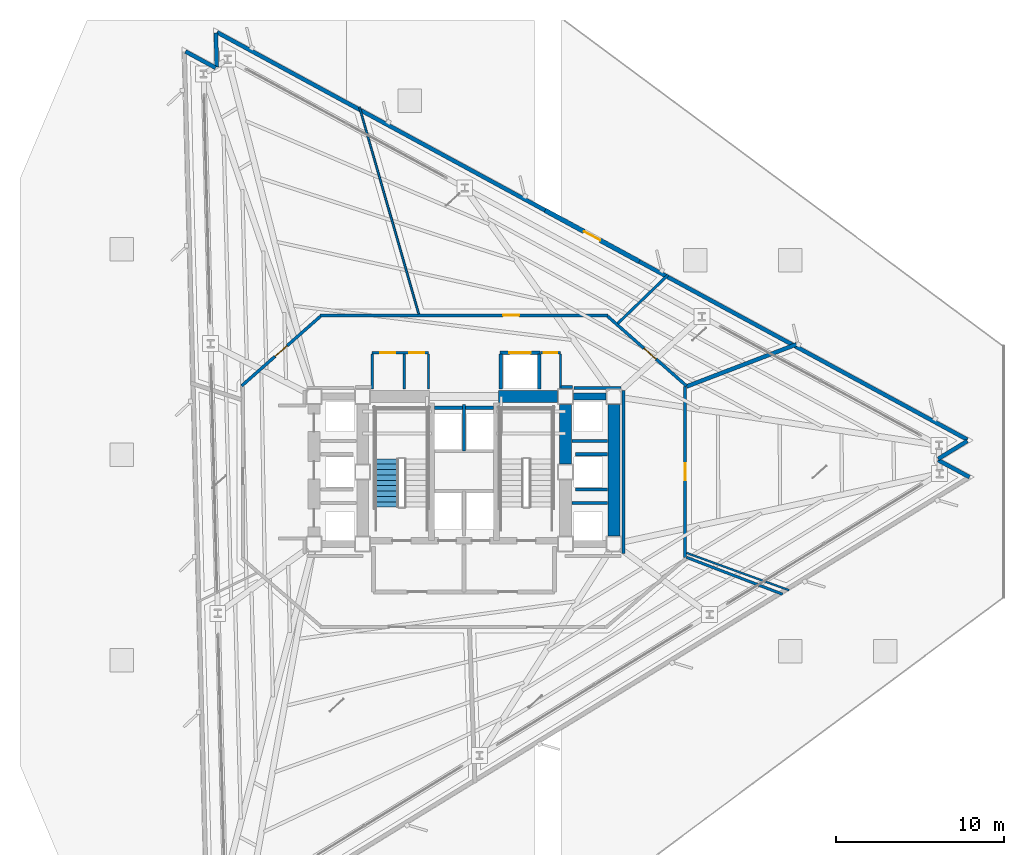
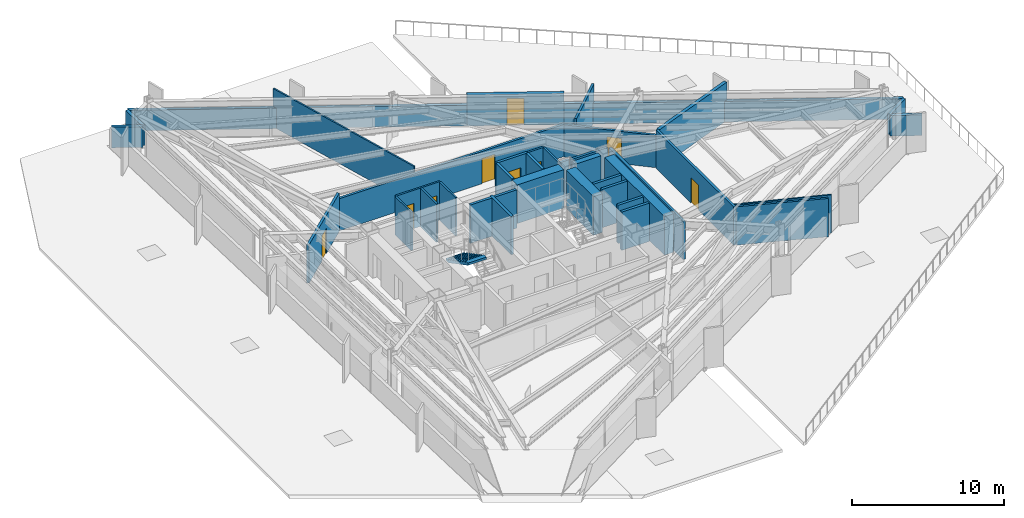
# One storey, part 9 of 13: 38 walls, 9 doors, 1 stair flight, 9 openings, 1 element without a shape of its own.
"""IFC4 building model written with IfcOpenShell, lengths in metres."""

from ifc_helpers import new_model, si_unit, direction, frame, frame_2d, origin, place, context, subcontext, project, spatial, polyline, rectangle, outline, extrude, material, layer, layer_set, type_object, element, fill, aggregate, save


model = new_model("IFC4")

# Units and contexts
model_context = context("Model", 3, precision=1e-05, world=origin(), true_north=direction((0.0, 1.0)))
body_context = subcontext(model_context, "Body", "Model", "MODEL_VIEW")
ifc_project = project(units=[si_unit("LENGTHUNIT", "METRE"), si_unit("AREAUNIT", "SQUARE_METRE"), si_unit("VOLUMEUNIT", "CUBIC_METRE"), si_unit("PLANEANGLEUNIT", "RADIAN"), si_unit("MASSUNIT", "GRAM", prefix="KILO")], contexts=[model_context])

# Site, building, storey
site_placement = place(None, origin())
site = spatial("IfcSite", under=ifc_project, at=site_placement, CompositionType="ELEMENT")
building_placement = place(site_placement, origin())
building = spatial("IfcBuilding", under=site, at=building_placement, Name="Rocaltana Carrier Exchange", CompositionType="ELEMENT")
storey_placement = place(building_placement, frame((0.0, 0.0, 18.8798828125)))
storey = spatial("IfcBuildingStorey", under=building, at=storey_placement, Name="L06", CompositionType="ELEMENT", Elevation=18.8798828125)

# Walls
ifc_material_1 = material(Name="Double Acoustic Gypsum Partition", Category="gypsum")
ifc_layer_1 = layer(ifc_material_1, 0.159912109375)
ifc_layer_set_1 = layer_set([ifc_layer_1], Name="Double Acoustic Gypsum Partition")
wall_type_1 = type_object("IfcWallType", Name="Acoustic Studio Partition 160 EI60", PredefinedType="PARTITIONING", material=ifc_layer_set_1)
wall_1_placement = place(storey_placement, frame((13.280029296875, -5.09765625, 0.0), z_axis=(0.0, 0.0, 1.0), x_axis=(0.933574999212, -0.358382087787, 0.0)))
element("IfcWall", 1, at=wall_1_placement, inside=storey, type_object=wall_type_1, Name="L06 Suite Divider Wall D3", PredefinedType="PARTITIONING", context=body_context, shape_type="SweptSolid", body=[
    extrude(rectangle(XDim=6.13916015625, YDim=0.159912109375, at=frame_2d((3.069580078125, 0.0))), origin(), (0.0, 0.0, 1.0), 3.072998046875),
])
wall_2_placement = place(storey_placement, frame((9.17529296875, 8.860595703125, 0.0), z_axis=(0.0, 0.0, 1.0), x_axis=(0.719367279815, 0.694629913502, 0.0)))
element("IfcWall", 2, at=wall_2_placement, inside=storey, type_object=wall_type_1, Name="L06 Suite Divider Wall D6", PredefinedType="PARTITIONING", context=body_context, shape_type="SweptSolid", body=[
    extrude(rectangle(XDim=4.1845703125, YDim=0.159912109375, at=frame_2d((2.09228515625, 0.0))), origin(), (0.0, 0.0, 1.0), 3.072998046875),
])
ifc_material_2 = material(Name="Concrete C50/60", Category="concrete")
ifc_layer_2 = layer(ifc_material_2, 0.39990234375)
ifc_layer_set_2 = layer_set([ifc_layer_2], Name="Concrete C50/60")
wall_type_2 = type_object("IfcWallType", Name="Core Internal Shear Wall 400", PredefinedType="SHEAR", material=ifc_layer_set_2)
wall_3_placement = place(storey_placement, frame((6.52490234375, 4.5, 0.0), z_axis=(0.0, 0.0, 1.0), x_axis=(1.0, 0.0, 0.0)))
element("IfcWall", 3, at=wall_3_placement, inside=storey, type_object=wall_type_2, Name="L06 Core Shear Wall CW-EWN", PredefinedType="SHEAR", context=body_context, shape_type="SweptSolid", body=[
    extrude(rectangle(XDim=1.9501953125, YDim=0.39990234375, at=frame_2d((0.97509765625, 0.0))), origin(), (0.0, 0.0, 1.0), 3.09814453125),
])
ifc_material_3 = material(Name="Concrete C60/75", Category="concrete")
ifc_layer_3 = layer(ifc_material_3, 0.699951171875)
ifc_layer_set_3 = layer_set([ifc_layer_3], Name="Concrete C60/75")
wall_type_3 = type_object("IfcWallType", Name="Core Shear Wall 700", PredefinedType="SHEAR", material=ifc_layer_set_3)
wall_4_placement = place(storey_placement, frame((6.050048828125, 0.47509765625, 0.0), z_axis=(0.0, 0.0, 1.0), x_axis=(0.0, 1.0, 0.0)))
element("IfcWall", 4, at=wall_4_placement, inside=storey, type_object=wall_type_3, Name="L06 Core Shear Wall CW-EN", PredefinedType="SHEAR", context=body_context, shape_type="SweptSolid", body=[
    extrude(rectangle(XDim=3.5498046875, YDim=0.699951171875, at=frame_2d((1.77490234375, 0.0))), origin(), (0.0, 0.0, 1.0), 3.09814453125),
])
wall_5_placement = place(storey_placement, frame((2.050048828125, 4.5, 0.0), z_axis=(0.0, 0.0, 1.0), x_axis=(1.0, 0.0, 0.0)))
element("IfcWall", 5, at=wall_5_placement, inside=storey, type_object=wall_type_3, Name="L06 Core Shear Wall CW-N2", PredefinedType="SHEAR", context=body_context, shape_type="SweptSolid", body=[
    extrude(rectangle(XDim=3.52490234375, YDim=0.699951171875, at=frame_2d((1.762451171875, 0.0))), origin(), (0.0, 0.0, 1.0), 3.09814453125),
])
wall_6_placement = place(storey_placement, frame((8.949951171875, -3.824951171875, 0.0), z_axis=(0.0, 0.0, 1.0), x_axis=(0.0, 1.0, 0.0)))
element("IfcWall", 6, at=wall_6_placement, inside=storey, type_object=wall_type_3, Name="L06 Core Shear Wall CW-EW", PredefinedType="SHEAR", context=body_context, shape_type="SweptSolid", body=[
    extrude(rectangle(XDim=7.849853515625, YDim=0.699951171875, at=frame_2d((3.9248046875, 0.0))), origin(), (0.0, 0.0, 1.0), 3.09814453125),
])

# Wall, opening, door
ifc_material_4 = material(Name="Gypsum & Steel Stud Partition", Category="steel")
ifc_layer_4 = layer(ifc_material_4, 0.179931640625)
ifc_layer_set_4 = layer_set([ifc_layer_4], Name="Gypsum & Steel Stud Partition")
wall_type_4 = type_object("IfcWallType", Name="Corridor Fire Partition 180 EI60", PredefinedType="PARTITIONING", material=ifc_layer_set_4)
wall_7_placement = place(storey_placement, frame((-8.590087890625, 9.35009765625, 0.0), z_axis=(0.0, 0.0, 1.0), x_axis=(1.0, 0.0, 0.0)))
wall_7 = element("IfcWall", 7, at=wall_7_placement, inside=storey, type_object=wall_type_4, Name="L06 Corridor Partition 1", PredefinedType="PARTITIONING", context=body_context, shape_type="SweptSolid", body=[
    extrude(rectangle(XDim=17.18017578125, YDim=0.179931640625, at=frame_2d((8.590087890625, 0.0))), origin(), (0.0, 0.0, 1.0), 2.587158203125),
])
opening_1_placement = place(wall_7_placement, frame((10.924072265625, 0.0, 0.0)))
opening_1 = element("IfcOpeningElement", 8, at=opening_1_placement, cuts=wall_7, Name="Opening D-RM098", PredefinedType="OPENING", context=body_context, shape_type="SweptSolid", body=[
    extrude(rectangle(XDim=0.9599609375, YDim=2.02001953125, at=frame_2d((0.47998046875, 1.010009765625))), frame((0.0, 0.099853515625, 0.0), z_axis=(0.0, -1.0, 0.0), x_axis=(1.0, 0.0, 0.0)), (0.0, 0.0, 1.0), 0.199951171875),
])
ifc_material_5 = material(Name="Engineered Hardwood Timber", Category="wood")
door_type_1 = type_object("IfcDoorType", Name="Workspace Single Door 960x2020", OperationType="NOTDEFINED", PredefinedType="DOOR", material=ifc_material_5)
door_1_placement = place(opening_1_placement, origin())
door_1 = element("IfcDoor", 9, at=door_1_placement, inside=storey, type_object=door_type_1, Name="L06 Network Operations Office Entrance Door", OperationType="SINGLE_SWING_RIGHT", OverallHeight=2.02001953125, OverallWidth=0.9599609375, PredefinedType="DOOR", context=body_context, shape_type="SweptSolid", body=[
    extrude(rectangle(XDim=0.9599609375, YDim=2.02001953125, at=frame_2d((0.47998046875, 1.010009765625))), frame((0.0, 0.02490234375, 0.0), z_axis=(0.0, -1.0, 0.0), x_axis=(1.0, 0.0, 0.0)), (0.0, 0.0, 1.0), 0.050048828125),
])
fill(opening_1, door_1)

wall_8_placement = place(storey_placement, frame((8.5673828125, 9.290283203125, 0.0), z_axis=(0.0, 0.0, 1.0), x_axis=(0.749626463267, -0.66186113768, 0.0)))
wall_8 = element("IfcWall", 10, at=wall_8_placement, inside=storey, type_object=wall_type_4, Name="L06 Corridor Partition 2", PredefinedType="PARTITIONING", context=body_context, shape_type="SweptSolid", body=[
    extrude(rectangle(XDim=6.27001953125, YDim=0.179931640625, at=frame_2d((3.135009765625, 0.0))), origin(), (0.0, 0.0, 1.0), 2.587158203125),
])
opening_2_placement = place(wall_8_placement, frame((2.89501953125, 0.0, 0.0)))
opening_2 = element("IfcOpeningElement", 11, at=opening_2_placement, cuts=wall_8, Name="Opening D-RM098", PredefinedType="OPENING", context=body_context, shape_type="SweptSolid", body=[
    extrude(rectangle(XDim=0.9599609375, YDim=2.02001953125, at=frame_2d((0.47998046875, 1.010009765625))), frame((0.0, 0.099853515625, 0.0), z_axis=(0.0, -1.0, 0.0), x_axis=(1.0, 0.0, 0.0)), (0.0, 0.0, 1.0), 0.199951171875),
])
door_2_placement = place(opening_2_placement, origin())
door_2 = element("IfcDoor", 12, at=door_2_placement, inside=storey, type_object=door_type_1, Name="L06 Peering Conference Room Entrance Door", OperationType="SINGLE_SWING_LEFT", OverallHeight=2.02001953125, OverallWidth=0.9599609375, PredefinedType="DOOR", context=body_context, shape_type="SweptSolid", body=[
    extrude(rectangle(XDim=0.9599609375, YDim=2.02001953125, at=frame_2d((0.47998046875, 1.010009765625))), frame((0.0, 0.02490234375, 0.0), z_axis=(0.0, -1.0, 0.0), x_axis=(1.0, 0.0, 0.0)), (0.0, 0.0, 1.0), 0.050048828125),
])
fill(opening_2, door_2)

wall_9_placement = place(storey_placement, frame((13.199951171875, 5.110107421875, 0.0), z_axis=(0.0, 0.0, 1.0), x_axis=(0.0, -1.0, 0.0)))
wall_9 = element("IfcWall", 13, at=wall_9_placement, inside=storey, type_object=wall_type_4, Name="L06 Corridor Partition 3", PredefinedType="PARTITIONING", context=body_context, shape_type="SweptSolid", body=[
    extrude(rectangle(XDim=10.22021484375, YDim=0.179931640625, at=frame_2d((5.110107421875, 0.0))), origin(), (0.0, 0.0, 1.0), 3.072998046875),
])
opening_3_placement = place(wall_9_placement, frame((4.5908203125, 0.0, 0.0)))
opening_3 = element("IfcOpeningElement", 14, at=opening_3_placement, cuts=wall_9, Name="Opening D-LB104", PredefinedType="OPENING", context=body_context, shape_type="SweptSolid", body=[
    extrude(rectangle(XDim=1.02001953125, YDim=2.02001953125, at=frame_2d((0.510009765625, 1.010009765625))), frame((0.0, 0.099853515625, 0.0), z_axis=(0.0, -1.0, 0.0), x_axis=(1.0, 0.0, 0.0)), (0.0, 0.0, 1.0), 0.199951171875),
])
ifc_material_6 = material(Name="Powder-Coated Aluminium 6063-T6", Category="aluminium")
door_type_2 = type_object("IfcDoorType", Name="Laboratory Acoustic Door 1020x2020", OperationType="NOTDEFINED", PredefinedType="DOOR", material=ifc_material_6)
door_3_placement = place(opening_3_placement, origin())
door_3 = element("IfcDoor", 15, at=door_3_placement, inside=storey, type_object=door_type_2, Name="L06 Optical Switching Laboratory Entrance Door", OperationType="SINGLE_SWING_RIGHT", OverallHeight=2.02001953125, OverallWidth=1.02001953125, PredefinedType="DOOR", context=body_context, shape_type="SweptSolid", body=[
    extrude(rectangle(XDim=1.02001953125, YDim=2.02001953125, at=frame_2d((0.510009765625, 1.010009765625))), frame((0.0, 0.02490234375, 0.0), z_axis=(0.0, -1.0, 0.0), x_axis=(1.0, 0.0, 0.0)), (0.0, 0.0, 1.0), 0.050048828125),
])
fill(opening_3, door_3)

wall_10_placement = place(storey_placement, frame((-13.267578125, 5.140380859375, 0.0), z_axis=(0.0, 0.0, 1.0), x_axis=(0.749626463267, 0.66186113768, 0.0)))
wall_10 = element("IfcWall", 16, at=wall_10_placement, inside=storey, type_object=wall_type_4, Name="L06 Corridor Partition 8", PredefinedType="PARTITIONING", context=body_context, shape_type="SweptSolid", body=[
    extrude(rectangle(XDim=6.27001953125, YDim=0.179931640625, at=frame_2d((3.135009765625, 0.0))), origin(), (0.0, 0.0, 1.0), 3.072998046875),
])
opening_4_placement = place(wall_10_placement, frame((2.655029296875, 0.0, 0.0)))
opening_4 = element("IfcOpeningElement", 17, at=opening_4_placement, cuts=wall_10, Name="Opening D-RM098", PredefinedType="OPENING", context=body_context, shape_type="SweptSolid", body=[
    extrude(rectangle(XDim=0.9599609375, YDim=2.02001953125, at=frame_2d((0.47998046875, 1.010009765625))), frame((0.0, 0.099853515625, 0.0), z_axis=(0.0, -1.0, 0.0), x_axis=(1.0, 0.0, 0.0)), (0.0, 0.0, 1.0), 0.199951171875),
])
door_4_placement = place(opening_4_placement, origin())
door_4 = element("IfcDoor", 18, at=door_4_placement, inside=storey, type_object=door_type_1, Name="L06 Quiet Focus Lounge Entrance Door", OperationType="SINGLE_SWING_LEFT", OverallHeight=2.02001953125, OverallWidth=0.9599609375, PredefinedType="DOOR", context=body_context, shape_type="SweptSolid", body=[
    extrude(rectangle(XDim=0.9599609375, YDim=2.02001953125, at=frame_2d((0.47998046875, 1.010009765625))), frame((0.0, 0.02490234375, 0.0), z_axis=(0.0, -1.0, 0.0), x_axis=(1.0, 0.0, 0.0)), (0.0, 0.0, 1.0), 0.050048828125),
])
fill(opening_4, door_4)

# Walls
wall_11_placement = place(storey_placement, frame((9.510009765625, -4.8701171875, 0.0), z_axis=(0.0, 0.0, 1.0), x_axis=(0.0, 1.0, 0.0)))
element("IfcWall", 19, at=wall_11_placement, inside=storey, type_object=wall_type_4, Name="L06 Corridor Partition 17", PredefinedType="PARTITIONING", context=body_context, shape_type="SweptSolid", body=[
    extrude(rectangle(XDim=9.740234375, YDim=0.179931640625, at=frame_2d((4.8701171875, 0.0))), origin(), (0.0, 0.0, 1.0), 3.072998046875),
])
wall_12_placement = place(storey_placement, frame((9.3701171875, 5.010009765625, 0.0), z_axis=(0.0, 0.0, 1.0), x_axis=(-1.0, 0.0, 0.0)))
element("IfcWall", 20, at=wall_12_placement, inside=storey, type_object=wall_type_4, Name="L06 Corridor Partition 18", PredefinedType="PARTITIONING", context=body_context, shape_type="SweptSolid", body=[
    extrude(rectangle(XDim=2.807861328125, YDim=0.179931640625, at=frame_2d((1.40380859375, 0.0))), origin(), (0.0, 0.0, 1.0), 3.072998046875),
])
wall_13_placement = place(storey_placement, frame((6.469970703125, 5.080078125, 0.0), z_axis=(0.0, 0.0, 1.0), x_axis=(-1.0, 0.0, 0.0)))
element("IfcWall", 21, at=wall_13_placement, inside=storey, type_object=wall_type_4, Name="L06 Corridor Partition 19", PredefinedType="PARTITIONING", context=body_context, shape_type="SweptSolid", body=[
    extrude(rectangle(XDim=0.679931640625, YDim=0.179931640625, at=frame_2d((0.33984375, 0.0))), origin(), (0.0, 0.0, 1.0), 3.072998046875),
])
ifc_material_7 = material(Name="Aluminium 6063-T6 & Acoustic Glass", Category="aluminium")
ifc_layer_5 = layer(ifc_material_7, 0.114990234375)
ifc_layer_set_5 = layer_set([ifc_layer_5], Name="Aluminium 6063-T6 & Acoustic Glass")
wall_type_5 = type_object("IfcWallType", Name="Demountable Glazed Lab Partition 115", PredefinedType="MOVABLE", material=ifc_layer_set_5)
wall_14_placement = place(storey_placement, frame((13.280029296875, -4.83349609375, 0.0), z_axis=(0.0, 0.0, 1.0), x_axis=(0.939690475906, -0.342026036278, 0.0)))
element("IfcWall", 22, at=wall_14_placement, inside=storey, type_object=wall_type_5, Name="L06 Suite Divider Wall D4", PredefinedType="MOVABLE", context=body_context, shape_type="SweptSolid", body=[
    extrude(rectangle(XDim=6.51123046875, YDim=0.114990234375, at=frame_2d((3.255615234375, 0.0))), origin(), (0.0, 0.0, 1.0), 3.072998046875),
])
wall_15_placement = place(storey_placement, frame((-2.7041015625, 9.429931640625, 0.0), z_axis=(0.0, 0.0, 1.0), x_axis=(-0.275627518328, 0.961264516738, 0.0)))
element("IfcWall", 23, at=wall_15_placement, inside=storey, type_object=wall_type_5, Name="L06 Suite Divider Wall D7", PredefinedType="MOVABLE", context=body_context, shape_type="SweptSolid", body=[
    extrude(rectangle(XDim=12.8408203125, YDim=0.114990234375, at=frame_2d((6.42041015625, 0.0))), origin(), (0.0, 0.0, 1.0), 3.072998046875),
])
ifc_material_8 = material(Name="Acoustic Calcium Silicate Partition", Category="gypsum")
ifc_layer_6 = layer(ifc_material_8, 0.239990234375)
ifc_layer_set_6 = layer_set([ifc_layer_6], Name="Acoustic Calcium Silicate Partition")
wall_type_6 = type_object("IfcWallType", Name="Heavy Lab Partition 240 EI90", PredefinedType="PARTITIONING", material=ifc_layer_set_6)
wall_16_placement = place(storey_placement, frame((13.280029296875, 5.09765625, 0.0), z_axis=(0.0, 0.0, 1.0), x_axis=(0.933577510578, 0.358375545681, 0.0)))
element("IfcWall", 24, at=wall_16_placement, inside=storey, type_object=wall_type_6, Name="L06 Suite Divider Wall D5", PredefinedType="PARTITIONING", context=body_context, shape_type="SweptSolid", body=[
    extrude(rectangle(XDim=7.021484375, YDim=0.239990234375, at=frame_2d((3.5107421875, 0.0))), origin(), (0.0, 0.0, 1.0), 3.072998046875),
])
ifc_material_9 = material(Name="Reinforced Concrete Block C35/45", Category="concrete")
ifc_layer_7 = layer(ifc_material_9, 0.199951171875)
ifc_layer_set_7 = layer_set([ifc_layer_7], Name="Reinforced Concrete Block C35/45")
wall_type_7 = type_object("IfcWallType", Name="Lift Hoistway Enclosure Wall 200 EI120", PredefinedType="PARTITIONING", material=ifc_layer_set_7)
wall_17_placement = place(storey_placement, frame((0.0, 1.25, 0.0), z_axis=(0.0, 0.0, 1.0), x_axis=(0.0, 1.0, 0.0)))
element("IfcWall", 25, at=wall_17_placement, inside=storey, type_object=wall_type_7, Name="L06 High-Rise Shaft Divider", PredefinedType="PARTITIONING", context=body_context, shape_type="SweptSolid", body=[
    extrude(rectangle(XDim=2.77001953125, YDim=0.199951171875, at=frame_2d((1.385009765625, 0.0))), origin(), (0.0, 0.0, 1.0), 3.072998046875),
])
wall_18_placement = place(storey_placement, frame((-1.760009765625, 3.820068359375, 0.0), z_axis=(0.0, 0.0, 1.0), x_axis=(1.0, 0.0, 0.0)))
element("IfcWall", 26, at=wall_18_placement, inside=storey, type_object=wall_type_7, Name="L06 High-Rise Lift Front Wall", PredefinedType="PARTITIONING", context=body_context, shape_type="SweptSolid", body=[
    extrude(rectangle(XDim=3.52001953125, YDim=0.199951171875, at=frame_2d((1.760009765625, 0.0))), origin(), (0.0, 0.0, 1.0), 3.072998046875),
])
for number, where, z_axis, x_axis, name in (
    (27, (2.199951171875, 4.949951171875, 0.0), (0.0, 0.0, 1.0), (0.0, 1.0, 0.0), "L06 Goods Lift West Wall"),
    (28, (4.47998046875, 4.949951171875, 0.0), (0.0, 0.0, 1.0), (0.0, 1.0, 0.0), "L06 Goods Lift East Wall"),
):
    element("IfcWall", number, at=place(storey_placement, frame(where, z_axis=z_axis, x_axis=x_axis)), inside=storey, type_object=wall_type_7, Name=name, PredefinedType="PARTITIONING", context=body_context, shape_type="SweptSolid", body=[
        extrude(rectangle(XDim=2.10009765625, YDim=0.199951171875, at=frame_2d((1.050048828125, 0.0))), origin(), (0.0, 0.0, 1.0), 3.072998046875),
    ])

# Wall, opening, door
wall_19_placement = place(storey_placement, frame((2.14990234375, 7.1201171875, 0.0), z_axis=(0.0, 0.0, 1.0), x_axis=(1.0, 0.0, 0.0)))
wall_19 = element("IfcWall", 29, at=wall_19_placement, inside=storey, type_object=wall_type_7, Name="L06 Goods Lift Front Wall", PredefinedType="PARTITIONING", context=body_context, shape_type="SweptSolid", body=[
    extrude(rectangle(XDim=2.380126953125, YDim=0.199951171875, at=frame_2d((1.18994140625, 0.0))), origin(), (0.0, 0.0, 1.0), 3.072998046875),
])
opening_5_placement = place(wall_19_placement, frame((0.56005859375, 0.0, 0.0)))
opening_5 = element("IfcOpeningElement", 30, at=opening_5_placement, cuts=wall_19, Name="Opening LD-130", PredefinedType="OPENING", context=body_context, shape_type="SweptSolid", body=[
    extrude(rectangle(XDim=1.260009765625, YDim=2.06005859375, at=frame_2d((0.6298828125, 1.030029296875))), frame((0.0, 0.10986328125, 0.0), z_axis=(0.0, -1.0, 0.0), x_axis=(1.0, 0.0, 0.0)), (0.0, 0.0, 1.0), 0.219970703125),
])
ifc_material_10 = material(Name="Brushed Stainless Sliding Door Leaf", Category="steel")
door_type_3 = type_object("IfcDoorType", Name="Goods Lift Landing Sliding Door 1260x2060", OperationType="NOTDEFINED", PredefinedType="DOOR", material=ifc_material_10)
door_5_placement = place(opening_5_placement, origin())
door_5 = element("IfcDoor", 31, at=door_5_placement, inside=storey, type_object=door_type_3, Name="L06 Goods Lift GL-1 Landing Door", OperationType="SLIDING_TO_LEFT", OverallHeight=2.06005859375, OverallWidth=1.260009765625, PredefinedType="DOOR", context=body_context, shape_type="SweptSolid", body=[
    extrude(rectangle(XDim=1.260009765625, YDim=2.06005859375, at=frame_2d((0.6298828125, 1.030029296875))), frame((0.0, 0.02490234375, 0.0), z_axis=(0.0, -1.0, 0.0), x_axis=(1.0, 0.0, 0.0)), (0.0, 0.0, 1.0), 0.050048828125),
])
fill(opening_5, door_5)

# Walls
for number, where, z_axis, x_axis, name in (
    (32, (6.449951171875, -1.85009765625, 0.0), (0.0, 0.0, 1.0), (1.0, 0.0, 0.0), "L06 Mid-Rise Shaft Divider 1"),
    (33, (6.449951171875, 1.85009765625, 0.0), (0.0, 0.0, 1.0), (1.0, 0.0, 0.0), "L06 Mid-Rise Shaft Divider 2"),
):
    element("IfcWall", number, at=place(storey_placement, frame(where, z_axis=z_axis, x_axis=x_axis)), inside=storey, type_object=wall_type_7, Name=name, PredefinedType="PARTITIONING", context=body_context, shape_type="SweptSolid", body=[
        extrude(rectangle(XDim=2.10009765625, YDim=0.199951171875, at=frame_2d((1.050048828125, 0.0))), origin(), (0.0, 0.0, 1.0), 3.072998046875),
    ])
for number, where, z_axis, x_axis, name in (
    (34, (6.639892578125, -1.050048828125, 0.0), (0.0, 0.0, 1.0), (1.0, 0.0, 0.0), "L06 Mid-Rise Center Shaft Wall South"),
    (35, (6.639892578125, 1.050048828125, 0.0), (0.0, 0.0, 1.0), (1.0, 0.0, 0.0), "L06 Mid-Rise Center Shaft Wall North"),
):
    element("IfcWall", number, at=place(storey_placement, frame(where, z_axis=z_axis, x_axis=x_axis)), inside=storey, type_object=wall_type_7, Name=name, PredefinedType="PARTITIONING", context=body_context, shape_type="SweptSolid", body=[
        extrude(rectangle(XDim=1.91015625, YDim=0.199951171875, at=frame_2d((0.955078125, 0.0))), origin(), (0.0, 0.0, 1.0), 3.072998046875),
    ])

# Wall, opening, door
ifc_material_11 = material(Name="Precast sandstone concrete C45/55", Category="masonry")
ifc_layer_8 = layer(ifc_material_11, 0.280029296875)
ifc_layer_set_8 = layer_set([ifc_layer_8], Name="Precast sandstone concrete C45/55")
wall_type_8 = type_object("IfcWallType", Name="Sky Garden Foyer Enclosure Wall 280", PredefinedType="SOLIDWALL", material=ifc_layer_set_8)
wall_20_placement = place(storey_placement, frame((4.834716796875, 15.610595703125, 0.0), z_axis=(0.0, 0.0, 1.0), x_axis=(0.878818239679, -0.477156684547, 0.0)))
wall_20 = element("IfcWall", 36, at=wall_20_placement, inside=storey, type_object=wall_type_8, Name="L06 Podium Terrace Access Wall", PredefinedType="SOLIDWALL", context=body_context, shape_type="SweptSolid", body=[
    extrude(rectangle(XDim=6.39990234375, YDim=0.280029296875, at=frame_2d((3.199951171875, 0.0))), origin(), (0.0, 0.0, 1.0), 2.47802734375),
])
opening_6_placement = place(wall_20_placement, frame((2.650146484375, 0.0, 0.0)))
opening_6 = element("IfcOpeningElement", 37, at=opening_6_placement, cuts=wall_20, Name="Opening DT-110", PredefinedType="OPENING", context=body_context, shape_type="SweptSolid", body=[
    extrude(rectangle(XDim=1.10009765625, YDim=2.14990234375, at=frame_2d((0.550048828125, 1.074951171875))), frame((0.0, 0.14990234375, 0.0), z_axis=(0.0, -1.0, 0.0), x_axis=(1.0, 0.0, 0.0)), (0.0, 0.0, 1.0), 0.300048828125),
])
ifc_material_12 = material(Name="Anodised Aluminium 6063-T6", Category="aluminium")
door_type_4 = type_object("IfcDoorType", Name="Outdoor Terrace Access Door 1100x2150", OperationType="NOTDEFINED", PredefinedType="DOOR", material=ifc_material_12)
door_6_placement = place(opening_6_placement, origin())
door_6 = element("IfcDoor", 38, at=door_6_placement, inside=storey, type_object=door_type_4, Name="L06 Podium Roof Terrace Access Door", OperationType="SINGLE_SWING_LEFT", OverallHeight=2.14990234375, OverallWidth=1.10009765625, PredefinedType="DOOR", context=body_context, shape_type="SweptSolid", body=[
    extrude(rectangle(XDim=1.10009765625, YDim=2.14990234375, at=frame_2d((0.550048828125, 1.074951171875))), frame((0.0, 0.02490234375, 0.0), z_axis=(0.0, -1.0, 0.0), x_axis=(1.0, 0.0, 0.0)), (0.0, 0.0, 1.0), 0.050048828125),
])
fill(opening_6, door_6)

# Walls
ifc_material_13 = material(Name="Precast sandstone concrete C40/50", Category="masonry")
ifc_layer_9 = layer(ifc_material_13, 0.239990234375)
ifc_layer_set_9 = layer_set([ifc_layer_9], Name="Precast sandstone concrete C40/50")
wall_type_9 = type_object("IfcWallType", Name="Terrace Stone Parapet Wall 240", PredefinedType="PARAPET", material=ifc_layer_set_9)
for number, where, z_axis, x_axis, name in (
    (39, (-16.618896484375, 25.091064453125, 0.0), (0.0, 0.0, 1.0), (0.878813283548, -0.477165812543, 0.0), "L06 Setback Seam Parapet Wall 5"),
    (40, (-14.758056640625, 24.159423828125, 0.0), (0.0, 0.0, 1.0), (-0.026089524132, 0.999659610433, 0.0), "L06 Setback Seam Parapet Wall 6"),
):
    element("IfcWall", number, at=place(storey_placement, frame(where, z_axis=z_axis, x_axis=x_axis)), inside=storey, type_object=wall_type_9, Name=name, PredefinedType="PARAPET", context=body_context, shape_type="SweptSolid", body=[
        extrude(rectangle(XDim=2.0400390625, YDim=0.239990234375, at=frame_2d((1.02001953125, 0.0))), origin(), (0.0, 0.0, 1.0), 1.650146484375),
    ])
for number, where, z_axis, x_axis, name in (
    (41, (-14.7431640625, 26.240478515625, 0.0), (0.0, 0.0, 1.0), (0.878817850286, -0.477157401722, 0.0), "L06 Setback Seam Parapet Wall 7"),
    (42, (10.458984375, 12.556884765625, 0.0), (0.0, 0.0, 1.0), (0.878817850286, -0.477157401722, 0.0), "L06 Setback Seam Parapet Wall 8"),
):
    element("IfcWall", number, at=place(storey_placement, frame(where, z_axis=z_axis, x_axis=x_axis)), inside=storey, type_object=wall_type_9, Name=name, PredefinedType="PARAPET", context=body_context, shape_type="SweptSolid", body=[
        extrude(rectangle(XDim=22.277587890625, YDim=0.239990234375, at=frame_2d((11.138671875, 0.0))), origin(), (0.0, 0.0, 1.0), 1.650146484375),
    ])
wall_21_placement = place(storey_placement, frame((30.0390625, 1.846923828125, 0.0), z_axis=(0.0, 0.0, 1.0), x_axis=(-0.852651126253, -0.522480676101, 0.0)))
element("IfcWall", 43, at=wall_21_placement, inside=storey, type_object=wall_type_9, Name="L06 Setback Seam Parapet Wall 9", PredefinedType="PARAPET", context=body_context, shape_type="SweptSolid", body=[
    extrude(rectangle(XDim=2.0400390625, YDim=0.239990234375, at=frame_2d((1.02001953125, 0.0))), origin(), (0.0, 0.0, 1.0), 1.650146484375),
])
wall_22_placement = place(storey_placement, frame((28.3017578125, 0.701171875, 0.0), z_axis=(0.0, 0.0, 1.0), x_axis=(0.878783062921, -0.477221466747, 0.0)))
element("IfcWall", 44, at=wall_22_placement, inside=storey, type_object=wall_type_9, Name="L06 Setback Seam Parapet Wall 10", PredefinedType="PARAPET", context=body_context, shape_type="SweptSolid", body=[
    extrude(rectangle(XDim=2.1201171875, YDim=0.239990234375, at=frame_2d((1.06005859375, 0.0))), origin(), (0.0, 0.0, 1.0), 1.650146484375),
])
ifc_material_14 = material(Name="Moisture-Resistant Masonry C30/37", Category="masonry")
ifc_layer_10 = layer(ifc_material_14, 0.139892578125)
ifc_layer_set_10 = layer_set([ifc_layer_10], Name="Moisture-Resistant Masonry C30/37")
wall_type_10 = type_object("IfcWallType", Name="Wet-Area Sanitary Partition 140", PredefinedType="PARTITIONING", material=ifc_layer_set_10)
for number, where, z_axis, x_axis, name in (
    (45, (-5.47998046875, 4.949951171875, 0.0), (0.0, 0.0, 1.0), (0.0, 1.0, 0.0), "L06 Sanitary West Wall"),
    (46, (-3.56005859375, 4.949951171875, 0.0), (0.0, 0.0, 1.0), (0.0, 1.0, 0.0), "L06 Sanitary Divider"),
    (47, (-2.1201171875, 4.949951171875, 0.0), (0.0, 0.0, 1.0), (0.0, 1.0, 0.0), "L06 Sanitary East Wall"),
):
    element("IfcWall", number, at=place(storey_placement, frame(where, z_axis=z_axis, x_axis=x_axis)), inside=storey, type_object=wall_type_10, Name=name, PredefinedType="PARTITIONING", context=body_context, shape_type="SweptSolid", body=[
        extrude(rectangle(XDim=2.10009765625, YDim=0.139892578125, at=frame_2d((1.050048828125, 0.0))), origin(), (0.0, 0.0, 1.0), 3.072998046875),
    ])

# Wall, openings, doors
wall_23_placement = place(storey_placement, frame((-5.47998046875, 7.1201171875, 0.0), z_axis=(0.0, 0.0, 1.0), x_axis=(1.0, 0.0, 0.0)))
wall_23 = element("IfcWall", 48, at=wall_23_placement, inside=storey, type_object=wall_type_10, Name="L06 Sanitary North Wall", PredefinedType="PARTITIONING", context=body_context, shape_type="SweptSolid", body=[
    extrude(rectangle(XDim=3.35986328125, YDim=0.139892578125, at=frame_2d((1.679931640625, 0.0))), origin(), (0.0, 0.0, 1.0), 3.072998046875),
])
opening_7_placement = place(wall_23_placement, frame((0.47998046875, 0.0, 0.0)))
opening_7 = element("IfcOpeningElement", 49, at=opening_7_placement, cuts=wall_23, Name="Opening D-WC090", PredefinedType="OPENING", context=body_context, shape_type="SweptSolid", body=[
    extrude(rectangle(XDim=0.8798828125, YDim=2.02001953125, at=frame_2d((0.43994140625, 1.010009765625))), frame((0.0, 0.079833984375, 0.0), z_axis=(0.0, -1.0, 0.0), x_axis=(1.0, 0.0, 0.0)), (0.0, 0.0, 1.0), 0.159912109375),
])
opening_8_placement = place(wall_23_placement, frame((2.219970703125, 0.0, 0.0)))
opening_8 = element("IfcOpeningElement", 50, at=opening_8_placement, cuts=wall_23, Name="Opening D-WC090", PredefinedType="OPENING", context=body_context, shape_type="SweptSolid", body=[
    extrude(rectangle(XDim=0.8798828125, YDim=2.02001953125, at=frame_2d((0.43994140625, 1.010009765625))), frame((0.0, 0.079833984375, 0.0), z_axis=(0.0, -1.0, 0.0), x_axis=(1.0, 0.0, 0.0)), (0.0, 0.0, 1.0), 0.159912109375),
])
ifc_material_15 = material(Name="High-Pressure Laminate Timber", Category="wood")
door_type_5 = type_object("IfcDoorType", Name="Restroom & Accessible WC Door 880x2020", OperationType="NOTDEFINED", PredefinedType="DOOR", material=ifc_material_15)
door_7_placement = place(opening_7_placement, origin())
door_7 = element("IfcDoor", 51, at=door_7_placement, inside=storey, type_object=door_type_5, Name="L06 Accessible Toilet Door", OperationType="SINGLE_SWING_RIGHT", OverallHeight=2.02001953125, OverallWidth=0.8798828125, PredefinedType="DOOR", context=body_context, shape_type="SweptSolid", body=[
    extrude(rectangle(XDim=0.8798828125, YDim=2.02001953125, at=frame_2d((0.43994140625, 1.010009765625))), frame((0.0, 0.02490234375, 0.0), z_axis=(0.0, -1.0, 0.0), x_axis=(1.0, 0.0, 0.0)), (0.0, 0.0, 1.0), 0.050048828125),
])
fill(opening_7, door_7)
door_8_placement = place(opening_8_placement, origin())
door_8 = element("IfcDoor", 52, at=door_8_placement, inside=storey, type_object=door_type_5, Name="L06 Staff Restroom Door", OperationType="SINGLE_SWING_LEFT", OverallHeight=2.02001953125, OverallWidth=0.8798828125, PredefinedType="DOOR", context=body_context, shape_type="SweptSolid", body=[
    extrude(rectangle(XDim=0.8798828125, YDim=2.02001953125, at=frame_2d((0.43994140625, 1.010009765625))), frame((0.0, 0.02490234375, 0.0), z_axis=(0.0, -1.0, 0.0), x_axis=(1.0, 0.0, 0.0)), (0.0, 0.0, 1.0), 0.050048828125),
])
fill(opening_8, door_8)

# Wall
wall_24_placement = place(storey_placement, frame((5.760009765625, 4.949951171875, 0.0), z_axis=(0.0, 0.0, 1.0), x_axis=(0.0, 1.0, 0.0)))
element("IfcWall", 53, at=wall_24_placement, inside=storey, type_object=wall_type_10, Name="L06 Riser East Wall", PredefinedType="PARTITIONING", context=body_context, shape_type="SweptSolid", body=[
    extrude(rectangle(XDim=2.10009765625, YDim=0.139892578125, at=frame_2d((1.050048828125, 0.0))), origin(), (0.0, 0.0, 1.0), 3.072998046875),
])

# Wall, opening, door
wall_25_placement = place(storey_placement, frame((4.56005859375, 7.1201171875, 0.0), z_axis=(0.0, 0.0, 1.0), x_axis=(1.0, 0.0, 0.0)))
wall_25 = element("IfcWall", 54, at=wall_25_placement, inside=storey, type_object=wall_type_10, Name="L06 Riser North Wall", PredefinedType="PARTITIONING", context=body_context, shape_type="SweptSolid", body=[
    extrude(rectangle(XDim=1.199951171875, YDim=0.139892578125, at=frame_2d((0.60009765625, 0.0))), origin(), (0.0, 0.0, 1.0), 3.072998046875),
])
opening_9_placement = place(wall_25_placement, frame((0.2099609375, 0.0, 0.0)))
opening_9 = element("IfcOpeningElement", 55, at=opening_9_placement, cuts=wall_25, Name="Opening D-RS082", PredefinedType="OPENING", context=body_context, shape_type="SweptSolid", body=[
    extrude(rectangle(XDim=0.780029296875, YDim=2.010009765625, at=frame_2d((0.39013671875, 1.0048828125))), frame((0.0, 0.079833984375, 0.0), z_axis=(0.0, -1.0, 0.0), x_axis=(1.0, 0.0, 0.0)), (0.0, 0.0, 1.0), 0.159912109375),
])
ifc_material_16 = material(Name="Hollow Metal Access Door Leaf", Category="steel")
door_type_6 = type_object("IfcDoorType", Name="Riser & Service Closet Door 780x2010", OperationType="NOTDEFINED", PredefinedType="DOOR", material=ifc_material_16)
door_9_placement = place(opening_9_placement, origin())
door_9 = element("IfcDoor", 56, at=door_9_placement, inside=storey, type_object=door_type_6, Name="L06 Fibre Riser Closet Door", OperationType="SINGLE_SWING_RIGHT", OverallHeight=2.010009765625, OverallWidth=0.780029296875, PredefinedType="DOOR", context=body_context, shape_type="SweptSolid", body=[
    extrude(rectangle(XDim=0.780029296875, YDim=2.010009765625, at=frame_2d((0.39013671875, 1.0048828125))), frame((0.0, 0.02490234375, 0.0), z_axis=(0.0, -1.0, 0.0), x_axis=(1.0, 0.0, 0.0)), (0.0, 0.0, 1.0), 0.050048828125),
])
fill(opening_9, door_9)

# Stair, stair flight
ifc_material_17 = material(Name="Precast concrete C45/55", Category="concrete")
stair_type = type_object("IfcStairType", Name="Standard Dog-Leg Stair 160", PredefinedType="HALF_TURN_STAIR", material=ifc_material_17)
stair_placement = place(storey_placement, origin())
stair = element("IfcStair", 57, at=stair_placement, inside=storey, type_object=stair_type, Name="L06 Core West Exit Stair ST-1", PredefinedType="HALF_TURN_STAIR")
ifc_material_18 = material(Name="Precast concrete C45/55", Category="concrete")
stair_flight_type = type_object("IfcStairFlightType", Name="Precast Stair Flight 160", PredefinedType="STRAIGHT", material=ifc_material_18)
stair_flight_placement = place(storey_placement, frame((-4.60009765625, 0.780029296875, 1.68017578125), z_axis=(0.0, 0.0, 1.0), x_axis=(0.0, -1.0, 0.0)))
stair_flight = element("IfcStairFlight", 58, at=stair_flight_placement, type_object=stair_flight_type, Name="ST-1 flight 2", NumberOfRisers=10, NumberOfTreads=9, PredefinedType="STRAIGHT", RiserHeight=0.168, TreadLength=0.32, context=body_context, shape_type="SweptSolid", body=[
    extrude(outline(polyline([(0.0, 0.0), (0.0, 0.16796875), (0.320068359375, 0.16796875), (0.320068359375, 0.3359375), (0.639892578125, 0.3359375), (0.639892578125, 0.50390625), (0.9599609375, 0.50390625), (0.9599609375, 0.672119140625), (1.280029296875, 0.672119140625), (1.280029296875, 0.840087890625), (1.60009765625, 0.840087890625), (1.60009765625, 1.008056640625), (1.919921875, 1.008056640625), (1.919921875, 1.176025390625), (2.239990234375, 1.176025390625), (2.239990234375, 1.343994140625), (2.56005859375, 1.343994140625), (2.56005859375, 1.511962890625), (2.8798828125, 1.511962890625), (2.8798828125, 1.679931640625), (2.8798828125, 1.331298828125), (0.343994140625, 0.0), (0.0, 0.0)])), frame((0.0, 0.699951171875, 0.0), z_axis=(0.0, -1.0, 0.0), x_axis=(1.0, 0.0, 0.0)), (0.0, 0.0, 1.0), 1.39990234375),
])
aggregate(stair, [stair_flight])

save(model, "model.ifc")
